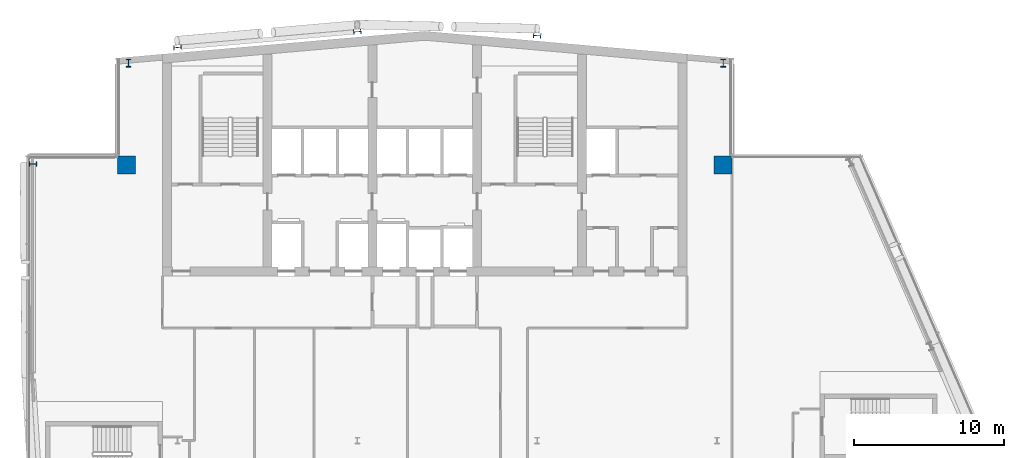
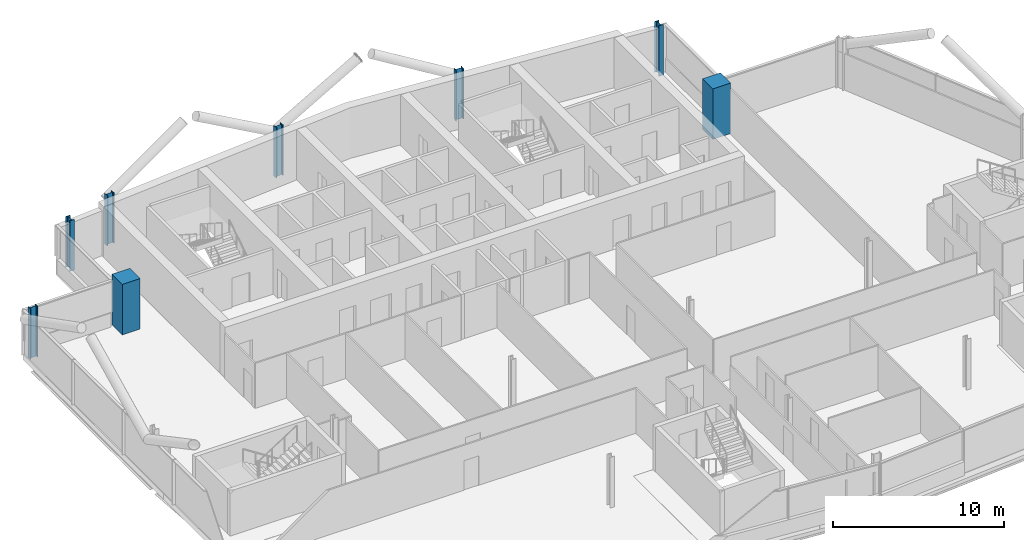
# One storey, part 3 of 27: 8 columns.
"""IFC4 building model written with IfcOpenShell, lengths in metres."""

from ifc_helpers import new_model, si_unit, direction, frame, origin, origin_2d, place, context, subcontext, project, spatial, rectangle, i_section, extrude, material, material_profile, profile_set, type_object, element, save


model = new_model("IFC4")

# Units and contexts
model_context = context("Model", 3, precision=1e-05, world=origin(), true_north=direction((0.0, 1.0)))
body_context = subcontext(model_context, "Body", "Model", "MODEL_VIEW")
ifc_project = project(units=[si_unit("LENGTHUNIT", "METRE"), si_unit("AREAUNIT", "SQUARE_METRE"), si_unit("VOLUMEUNIT", "CUBIC_METRE"), si_unit("PLANEANGLEUNIT", "RADIAN"), si_unit("MASSUNIT", "GRAM", prefix="KILO")], contexts=[model_context])

# Site, building, storey
site_placement = place(None, origin())
site = spatial("IfcSite", under=ifc_project, at=site_placement, CompositionType="ELEMENT")
building_placement = place(site_placement, origin())
building = spatial("IfcBuilding", under=site, at=building_placement, Name="Wharfspan Tower", CompositionType="ELEMENT")
storey_placement = place(building_placement, frame((0.0, 0.0, 210.699951)))
storey = spatial("IfcBuildingStorey", under=building, at=storey_placement, Name="L52", CompositionType="ELEMENT", Elevation=210.699951)

# Columns
ifc_material_1 = material(Name="Steel S355J2", Category="steel")
ifc_material_profile_1 = material_profile(ifc_material_1, i_section(OverallWidth=0.300049, OverallDepth=0.5, WebThickness=0.014404, FlangeThickness=0.028076, FilletRadius=0.0271, at=origin_2d()))
ifc_profile_set_1 = profile_set([ifc_material_profile_1], Name="Steel S355J2")
column_type_1 = type_object("IfcColumnType", Name="Column HEB 500", PredefinedType="COLUMN", material=ifc_profile_set_1)
for number, where, z_axis, x_axis, name in (
    (1, (24.0, 49.234863, 0.0), (0.0, 0.0, 1.0), (-0.087156, 0.996197, 0.0), "Rear column R.1 L52"),
    (2, (36.0, 50.284668, 0.0), (0.0, 0.0, 1.0), (-0.087156, 0.996197, 0.0), "Rear column R.2 L52"),
    (3, (48.0, 50.022217, 0.0), (0.0, 0.0, 1.0), (0.087156, 0.996197, 0.0), "Rear column R.3 L52"),
):
    element("IfcColumn", number, at=place(storey_placement, frame(where, z_axis=z_axis, x_axis=x_axis)), inside=storey, type_object=column_type_1, Name=name, PredefinedType="COLUMN", context=body_context, shape_type="SweptSolid", body=[
        extrude(i_section(OverallWidth=0.300049, OverallDepth=0.5, WebThickness=0.014404, FlangeThickness=0.028076, FilletRadius=0.0271, at=origin_2d()), origin(), (0.0, 0.0, 1.0), 3.600098),
    ])
ifc_material_profile_2 = material_profile(ifc_material_1, i_section(OverallWidth=0.305908, OverallDepth=0.523926, WebThickness=0.020996, FlangeThickness=0.040039, FilletRadius=0.0271, at=origin_2d()))
ifc_profile_set_2 = profile_set([ifc_material_profile_2], Name="Steel S355J2")
column_type_2 = type_object("IfcColumnType", Name="Column HEM 500", PredefinedType="COLUMN", material=ifc_profile_set_2)
for number, where, z_axis, x_axis, name in (
    (4, (60.422119, 48.189453, 0.0), (0.0, 0.0, 1.0), (1.0, 0.0, 0.0), "Perimeter column PNRE-V.1 L52"),
    (5, (20.731201, 48.189941, 0.0), (0.0, 0.0, 1.0), (-1.0, 0.0, 0.0), "Perimeter column PNRW-V.1 L52"),
    (6, (14.356934, 41.459717, 0.0), (0.0, 0.0, 1.0), (0.0, 1.0, 0.0), "Perimeter column PNRW-H.1 L52"),
):
    element("IfcColumn", number, at=place(storey_placement, frame(where, z_axis=z_axis, x_axis=x_axis)), inside=storey, type_object=column_type_2, Name=name, PredefinedType="COLUMN", context=body_context, shape_type="SweptSolid", body=[
        extrude(i_section(OverallWidth=0.305908, OverallDepth=0.523926, WebThickness=0.020996, FlangeThickness=0.040039, FilletRadius=0.0271, at=origin_2d()), origin(), (0.0, 0.0, 1.0), 3.600098),
    ])
ifc_material_2 = material(Name="Concrete C50/60", Category="concrete")
ifc_material_profile_3 = material_profile(ifc_material_2, rectangle(XDim=1.199951, YDim=1.199951, at=origin_2d()))
ifc_profile_set_3 = profile_set([ifc_material_profile_3], Name="Concrete C50/60")
column_type_3 = type_object("IfcColumnType", Name="Mega column 1200 C50/60", PredefinedType="COLUMN", material=ifc_profile_set_3)
for number, where, z_axis, x_axis, name in (
    (7, (20.600098, 41.399902, 0.0), (0.0, 0.0, 1.0), (1.0, 0.0, 0.0), "Mega column MC2 L52"),
    (8, (60.399902, 41.399902, 0.0), (0.0, 0.0, 1.0), (1.0, 0.0, 0.0), "Mega column MC3 L52"),
):
    element("IfcColumn", number, at=place(storey_placement, frame(where, z_axis=z_axis, x_axis=x_axis)), inside=storey, type_object=column_type_3, Name=name, PredefinedType="COLUMN", context=body_context, shape_type="SweptSolid", body=[
        extrude(rectangle(XDim=1.199951, YDim=1.199951, at=origin_2d()), origin(), (0.0, 0.0, 1.0), 3.600098),
    ])

save(model, "model.ifc")
